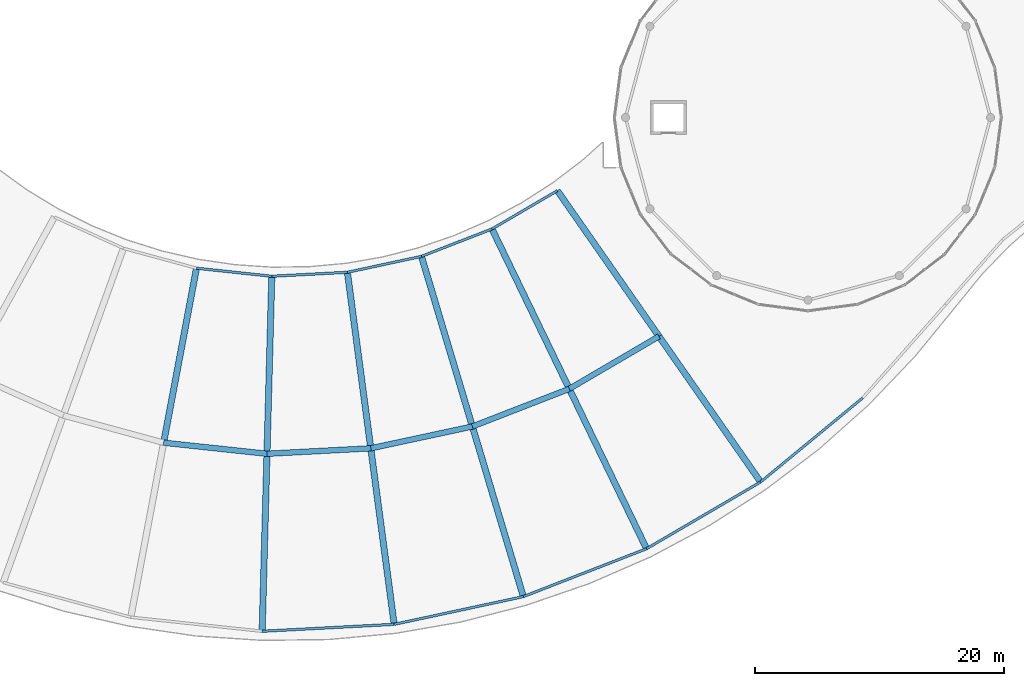
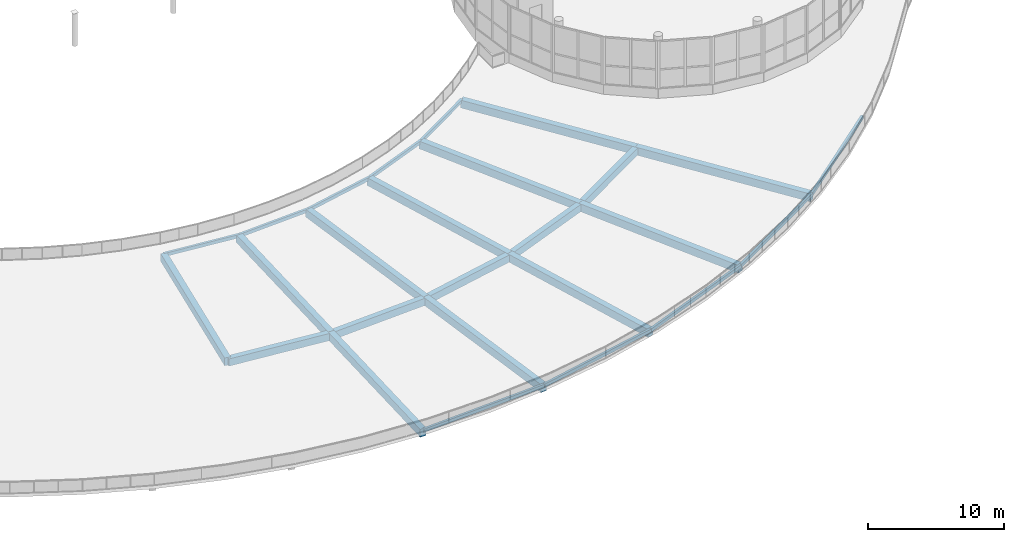
# One storey, part 4 of 101: 26 beams.
"""IFC4 building model written with IfcOpenShell, lengths in metres."""

from ifc_helpers import new_model, si_unit, direction, frame, origin, origin_2d, place, context, subcontext, project, spatial, rectangle, hollow_rectangle, extrude, material, material_profile, profile_set, type_object, element, save


model = new_model("IFC4")

# Units and contexts
model_context = context("Model", 3, precision=1e-05, world=origin(), true_north=direction((0.0, 1.0)))
body_context = subcontext(model_context, "Body", "Model", "MODEL_VIEW")
ifc_project = project(units=[si_unit("LENGTHUNIT", "METRE"), si_unit("AREAUNIT", "SQUARE_METRE"), si_unit("VOLUMEUNIT", "CUBIC_METRE"), si_unit("PLANEANGLEUNIT", "RADIAN"), si_unit("MASSUNIT", "GRAM", prefix="KILO")], contexts=[model_context])

# Site, building, storey
site_placement = place(None, origin())
site = spatial("IfcSite", under=ifc_project, at=site_placement, CompositionType="ELEMENT")
building_placement = place(site_placement, origin())
building = spatial("IfcBuilding", under=site, at=building_placement, Name="Selatvlak General Hospital", CompositionType="ELEMENT")
storey_placement = place(building_placement, frame((0.0, 0.0, 19.199951171875)))
storey = spatial("IfcBuildingStorey", under=building, at=storey_placement, Name="L04", CompositionType="ELEMENT", Elevation=19.199951171875)

# Beams
ifc_material_1 = material(Name="Concrete C40/50", Category="concrete")
ifc_material_profile_1 = material_profile(ifc_material_1, rectangle(XDim=0.5, YDim=0.699951171875, at=origin_2d()), Name="RC-BM 500x700")
ifc_profile_set_1 = profile_set([ifc_material_profile_1], Name="Concrete C40/50")
beam_type_1 = type_object("IfcBeamType", Name="BM-G03", PredefinedType="BEAM", material=ifc_profile_set_1)
beam_1_placement = place(storey_placement, frame((48.924072265625, 41.909912109375, -0.639892578125), z_axis=(-0.184983631041, -0.982741601972, 0.0), x_axis=(0.982741601972, -0.184983631041, 0.0)))
element("IfcBeam", 1, at=beam_1_placement, inside=storey, type_object=beam_type_1, Name="Beam BMR-L04-1808", PredefinedType="BEAM", context=body_context, shape_type="SweptSolid", body=[
    extrude(rectangle(XDim=0.5, YDim=0.699951171875, at=origin_2d()), origin(), (0.0, 0.0, 1.0), 14.249755859375),
])
beam_2_placement = place(storey_placement, frame((54.968017578125, 41.262939453125, -0.639892578125), z_axis=(-0.027088422576, -0.999633041352, 0.0), x_axis=(0.999633041352, -0.027088422576, 0.0)))
element("IfcBeam", 2, at=beam_2_placement, inside=storey, type_object=beam_type_1, Name="Beam BMR-L04-1810", PredefinedType="BEAM", context=body_context, shape_type="SweptSolid", body=[
    extrude(rectangle(XDim=0.5, YDim=0.699951171875, at=origin_2d()), origin(), (0.0, 0.0, 1.0), 14.2490234375),
])
beam_3_placement = place(storey_placement, frame((54.58203125, 27.01904296875, -0.639892578125), z_axis=(-0.027087958629, -0.999633053924, 0.0), x_axis=(0.999633053924, -0.027087958629, 0.0)))
element("IfcBeam", 3, at=beam_3_placement, inside=storey, type_object=beam_type_1, Name="Beam BMR-L04-1811", PredefinedType="BEAM", context=body_context, shape_type="SweptSolid", body=[
    extrude(rectangle(XDim=0.5, YDim=0.699951171875, at=origin_2d()), origin(), (0.0, 0.0, 1.0), 14.249267578125),
])
for number, where, z_axis, x_axis, name in (
    (4, (61.034912109375, 41.5830078125, -0.639892578125), (0.131731654767, -0.991285413558, 0.0), (0.991285413558, 0.131731654767, 0.0), "Beam BMR-L04-1812"),
    (5, (62.912109375, 27.45703125, -0.639892578125), (0.131714819532, -0.991287650642, 0.0), (0.991287650642, 0.131714819532, 0.0), "Beam BMR-L04-1813"),
):
    element("IfcBeam", number, at=place(storey_placement, frame(where, z_axis=z_axis, x_axis=x_axis)), inside=storey, type_object=beam_type_1, Name=name, PredefinedType="BEAM", context=body_context, shape_type="SweptSolid", body=[
        extrude(rectangle(XDim=0.5, YDim=0.699951171875, at=origin_2d()), origin(), (0.0, 0.0, 1.0), 14.250244140625),
    ])
for number, where, z_axis, x_axis, name in (
    (6, (66.97900390625, 42.861083984375, -0.639892578125), (0.286849619042, -0.957975623936, 0.0), (0.957975623936, 0.286849619042, 0.0), "Beam BMR-L04-1814"),
    (7, (71.06689453125, 29.208984375, -0.639892578125), (0.286865340788, -0.957970916184, 0.0), (0.957970916184, 0.286865340788, 0.0), "Beam BMR-L04-1815"),
):
    element("IfcBeam", number, at=place(storey_placement, frame(where, z_axis=z_axis, x_axis=x_axis)), inside=storey, type_object=beam_type_1, Name=name, PredefinedType="BEAM", context=body_context, shape_type="SweptSolid", body=[
        extrude(rectangle(XDim=0.5, YDim=0.699951171875, at=origin_2d()), origin(), (0.0, 0.0, 1.0), 14.2509765625),
    ])
for number, where, z_axis, x_axis, name in (
    (8, (72.639892578125, 45.06005859375, -0.639892578125), (0.435222358934, -0.900322996643, 0.0), (0.900322996643, 0.435222358934, 0.0), "Beam BMR-L04-1816"),
    (9, (78.842041015625, 32.22998046875, -0.639892578125), (0.435208471864, -0.900329709616, 0.0), (0.900329709616, 0.435208471864, 0.0), "Beam BMR-L04-1817"),
    (10, (77.886962890625, 48.131103515625, -0.639892578125), (0.572196870903, -0.820116297198, 0.0), (0.820116297198, 0.572196870903, 0.0), "Beam BMR-L04-1818"),
    (11, (86.041015625, 36.444091796875, -0.639892578125), (0.572196870903, -0.820116297198, 0.0), (0.820116297198, 0.572196870903, 0.0), "Beam BMR-L04-1819"),
):
    element("IfcBeam", number, at=place(storey_placement, frame(where, z_axis=z_axis, x_axis=x_axis)), inside=storey, type_object=beam_type_1, Name=name, PredefinedType="BEAM", context=body_context, shape_type="SweptSolid", body=[
        extrude(rectangle(XDim=0.5, YDim=0.699951171875, at=origin_2d()), origin(), (0.0, 0.0, 1.0), 14.25048828125),
    ])
ifc_material_profile_2 = material_profile(ifc_material_1, rectangle(XDim=0.449951171875, YDim=0.64990234375, at=origin_2d()), Name="RC-BM 450x650")
ifc_profile_set_2 = profile_set([ifc_material_profile_2], Name="Concrete C40/50")
beam_type_2 = type_object("IfcBeamType", Name="BM-G04", PredefinedType="BEAM", material=ifc_profile_set_2)
beam_4_placement = place(storey_placement, frame((46.2880859375, 27.906005859375, -0.614990234375), z_axis=(0.994330393907, -0.10633469684, 0.0), x_axis=(0.10633469684, 0.994330393907, 0.0)))
element("IfcBeam", 12, at=beam_4_placement, inside=storey, type_object=beam_type_2, Name="Beam BMR-L04-1833", PredefinedType="BEAM", context=body_context, shape_type="SweptSolid", body=[
    extrude(rectangle(XDim=0.449951171875, YDim=0.64990234375, at=origin_2d()), origin(), (0.0, 0.0, 1.0), 8.34130859375),
])
beam_5_placement = place(storey_placement, frame((54.58203125, 27.01904296875, -0.614990234375), z_axis=(0.998620576885, 0.052506603603, 0.0), x_axis=(-0.052506603603, 0.998620576885, 0.0)))
element("IfcBeam", 13, at=beam_5_placement, inside=storey, type_object=beam_type_2, Name="Beam BMR-L04-1834", PredefinedType="BEAM", context=body_context, shape_type="SweptSolid", body=[
    extrude(rectangle(XDim=0.449951171875, YDim=0.64990234375, at=origin_2d()), origin(), (0.0, 0.0, 1.0), 8.341552734375),
])
beam_6_placement = place(storey_placement, frame((62.912109375, 27.45703125, -0.614990234375), z_axis=(0.977691764251, 0.210044790739, 0.0), x_axis=(-0.210044790739, 0.977691764251, 0.0)))
element("IfcBeam", 14, at=beam_6_placement, inside=storey, type_object=beam_type_2, Name="Beam BMR-L04-1835", PredefinedType="BEAM", context=body_context, shape_type="SweptSolid", body=[
    extrude(rectangle(XDim=0.449951171875, YDim=0.64990234375, at=origin_2d()), origin(), (0.0, 0.0, 1.0), 8.3408203125),
])
beam_7_placement = place(storey_placement, frame((71.06689453125, 29.208984375, -0.614990234375), z_axis=(0.932112837016, 0.362167998406, 0.0), x_axis=(-0.362167998406, 0.932112837016, 0.0)))
element("IfcBeam", 15, at=beam_7_placement, inside=storey, type_object=beam_type_2, Name="Beam BMR-L04-1836", PredefinedType="BEAM", context=body_context, shape_type="SweptSolid", body=[
    extrude(rectangle(XDim=0.449951171875, YDim=0.64990234375, at=origin_2d()), origin(), (0.0, 0.0, 1.0), 8.34130859375),
])
beam_8_placement = place(storey_placement, frame((78.842041015625, 32.22998046875, -0.614990234375), z_axis=(0.863010423481, 0.505186113193, 0.0), x_axis=(-0.505186113193, 0.863010423481, 0.0)))
element("IfcBeam", 16, at=beam_8_placement, inside=storey, type_object=beam_type_2, Name="Beam BMR-L04-1837", PredefinedType="BEAM", context=body_context, shape_type="SweptSolid", body=[
    extrude(rectangle(XDim=0.449951171875, YDim=0.64990234375, at=origin_2d()), origin(), (0.0, 0.0, 1.0), 8.341796875),
])
ifc_material_2 = material(Name="Steel S355", Category="steel")
ifc_material_profile_3 = material_profile(ifc_material_2, hollow_rectangle(XDim=0.199951171875, YDim=0.300048828125, WallThickness=0.011962890625, at=origin_2d()), Name="RHS 300x200x12")
ifc_profile_set_3 = profile_set([ifc_material_profile_3], Name="Steel S355")
beam_type_3 = type_object("IfcBeamType", Name="BM-SP3", PredefinedType="SPANDREL", material=ifc_profile_set_3)
beam_9_placement = place(storey_placement, frame((48.924072265625, 41.909912109375, -0.43994140625), z_axis=(0.994319481673, -0.106436687124, 0.0), x_axis=(0.106436687124, 0.994319481673, 0.0)))
element("IfcBeam", 17, at=beam_9_placement, inside=storey, type_object=beam_type_3, Name="Beam BMR-L04-1825", PredefinedType="SPANDREL", context=body_context, shape_type="SweptSolid", body=[
    extrude(hollow_rectangle(XDim=0.199951171875, YDim=0.300048828125, WallThickness=0.011962890625, at=origin_2d()), origin(), (0.0, 0.0, 1.0), 6.078369140625),
])
beam_10_placement = place(storey_placement, frame((54.968017578125, 41.262939453125, -0.43994140625), z_axis=(0.998611271998, 0.052683274752, 0.0), x_axis=(-0.052683274752, 0.998611271998, 0.0)))
element("IfcBeam", 18, at=beam_10_placement, inside=storey, type_object=beam_type_3, Name="Beam BMR-L04-1826", PredefinedType="SPANDREL", context=body_context, shape_type="SweptSolid", body=[
    extrude(hollow_rectangle(XDim=0.199951171875, YDim=0.300048828125, WallThickness=0.011962890625, at=origin_2d()), origin(), (0.0, 0.0, 1.0), 6.075439453125),
])
beam_11_placement = place(storey_placement, frame((61.034912109375, 41.5830078125, -0.43994140625), z_axis=(0.977655854443, 0.210211869964, 0.0), x_axis=(-0.210211869964, 0.977655854443, 0.0)))
element("IfcBeam", 19, at=beam_11_placement, inside=storey, type_object=beam_type_3, Name="Beam BMR-L04-1827", PredefinedType="SPANDREL", context=body_context, shape_type="SweptSolid", body=[
    extrude(hollow_rectangle(XDim=0.199951171875, YDim=0.300048828125, WallThickness=0.011962890625, at=origin_2d()), origin(), (0.0, 0.0, 1.0), 6.079833984375),
])
beam_12_placement = place(storey_placement, frame((66.97900390625, 42.861083984375, -0.43994140625), z_axis=(0.932142667184, 0.362091215048, 0.0), x_axis=(-0.362091215048, 0.932142667184, 0.0)))
element("IfcBeam", 20, at=beam_12_placement, inside=storey, type_object=beam_type_3, Name="Beam BMR-L04-1828", PredefinedType="SPANDREL", context=body_context, shape_type="SweptSolid", body=[
    extrude(hollow_rectangle(XDim=0.199951171875, YDim=0.300048828125, WallThickness=0.011962890625, at=origin_2d()), origin(), (0.0, 0.0, 1.0), 6.072998046875),
])
beam_13_placement = place(storey_placement, frame((72.639892578125, 45.06005859375, -0.43994140625), z_axis=(0.863043931414, 0.505128867172, 0.0), x_axis=(-0.505128867172, 0.863043931414, 0.0)))
element("IfcBeam", 21, at=beam_13_placement, inside=storey, type_object=beam_type_3, Name="Beam BMR-L04-1829", PredefinedType="SPANDREL", context=body_context, shape_type="SweptSolid", body=[
    extrude(hollow_rectangle(XDim=0.199951171875, YDim=0.300048828125, WallThickness=0.011962890625, at=origin_2d()), origin(), (0.0, 0.0, 1.0), 6.079833984375),
])
beam_14_placement = place(storey_placement, frame((54.196044921875, 12.77490234375, -0.43994140625), z_axis=(0.998624623926, 0.052429576466, 0.0), x_axis=(-0.052429576466, 0.998624623926, 0.0)))
element("IfcBeam", 22, at=beam_14_placement, inside=storey, type_object=beam_type_3, Name="Beam BMR-L04-1840", PredefinedType="SPANDREL", context=body_context, shape_type="SweptSolid", body=[
    extrude(hollow_rectangle(XDim=0.199951171875, YDim=0.300048828125, WallThickness=0.011962890625, at=origin_2d()), origin(), (0.0, 0.0, 1.0), 10.607666015625),
])
beam_15_placement = place(storey_placement, frame((64.7890625, 13.3310546875, -0.43994140625), z_axis=(0.977714375037, 0.209939517116, 0.0), x_axis=(-0.209939517116, 0.977714375037, 0.0)))
element("IfcBeam", 23, at=beam_15_placement, inside=storey, type_object=beam_type_3, Name="Beam BMR-L04-1841", PredefinedType="SPANDREL", context=body_context, shape_type="SweptSolid", body=[
    extrude(hollow_rectangle(XDim=0.199951171875, YDim=0.300048828125, WallThickness=0.011962890625, at=origin_2d()), origin(), (0.0, 0.0, 1.0), 10.602294921875),
])
beam_16_placement = place(storey_placement, frame((75.155029296875, 15.556884765625, -0.43994140625), z_axis=(0.932089721368, 0.362227485596, 0.0), x_axis=(-0.362227485596, 0.932089721368, 0.0)))
element("IfcBeam", 24, at=beam_16_placement, inside=storey, type_object=beam_type_3, Name="Beam BMR-L04-1842", PredefinedType="SPANDREL", context=body_context, shape_type="SweptSolid", body=[
    extrude(hollow_rectangle(XDim=0.199951171875, YDim=0.300048828125, WallThickness=0.011962890625, at=origin_2d()), origin(), (0.0, 0.0, 1.0), 10.609375),
])
beam_17_placement = place(storey_placement, frame((85.0439453125, 19.39990234375, -0.43994140625), z_axis=(0.862997086305, 0.505208896427, 0.0), x_axis=(-0.505208896427, 0.862997086305, 0.0)))
element("IfcBeam", 25, at=beam_17_placement, inside=storey, type_object=beam_type_3, Name="Beam BMR-L04-1843", PredefinedType="SPANDREL", context=body_context, shape_type="SweptSolid", body=[
    extrude(hollow_rectangle(XDim=0.199951171875, YDim=0.300048828125, WallThickness=0.011962890625, at=origin_2d()), origin(), (0.0, 0.0, 1.0), 10.60400390625),
])
beam_18_placement = place(storey_placement, frame((94.195068359375, 24.757080078125, -0.43994140625), z_axis=(0.772071758835, 0.635535364248, 0.0), x_axis=(-0.635535364248, 0.772071758835, 0.0)))
element("IfcBeam", 26, at=beam_18_placement, inside=storey, type_object=beam_type_3, Name="Beam BMR-L04-1844", PredefinedType="SPANDREL", context=body_context, shape_type="SweptSolid", body=[
    extrude(hollow_rectangle(XDim=0.199951171875, YDim=0.300048828125, WallThickness=0.011962890625, at=origin_2d()), origin(), (0.0, 0.0, 1.0), 10.605224609375),
])

save(model, "model.ifc")
